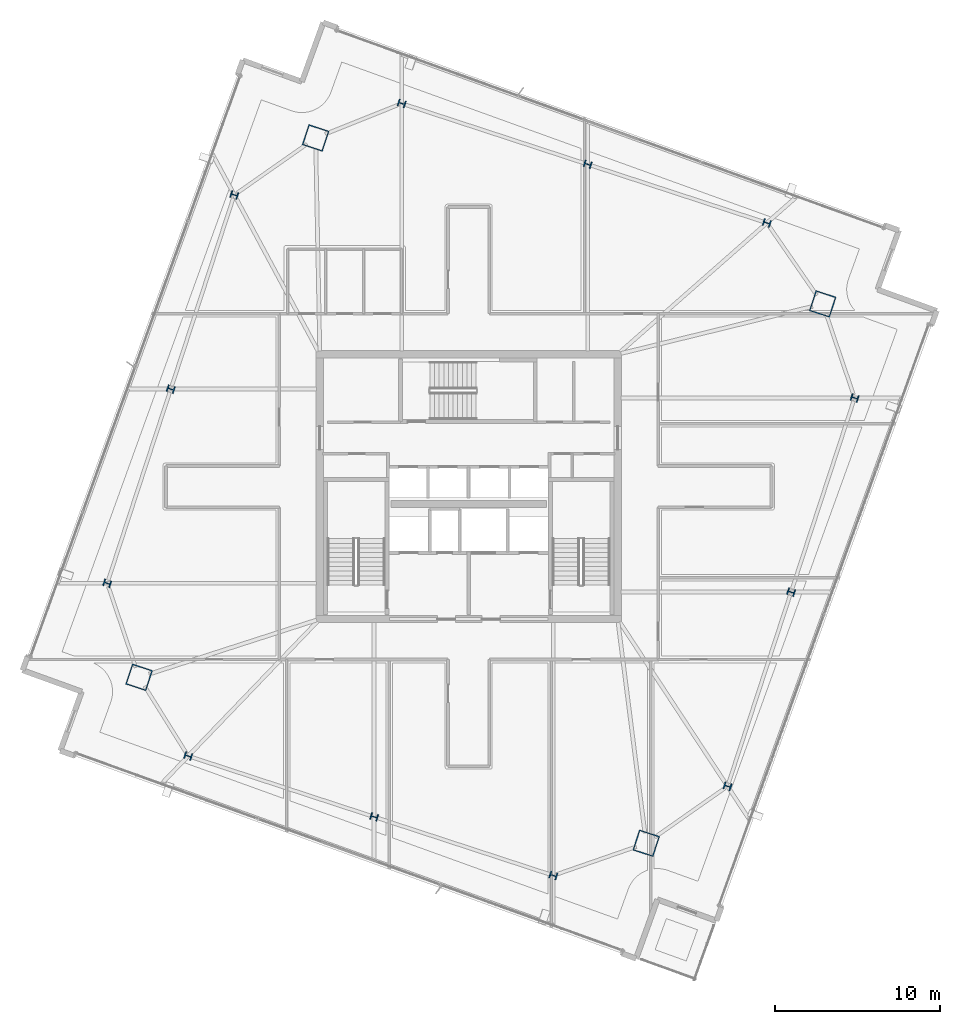
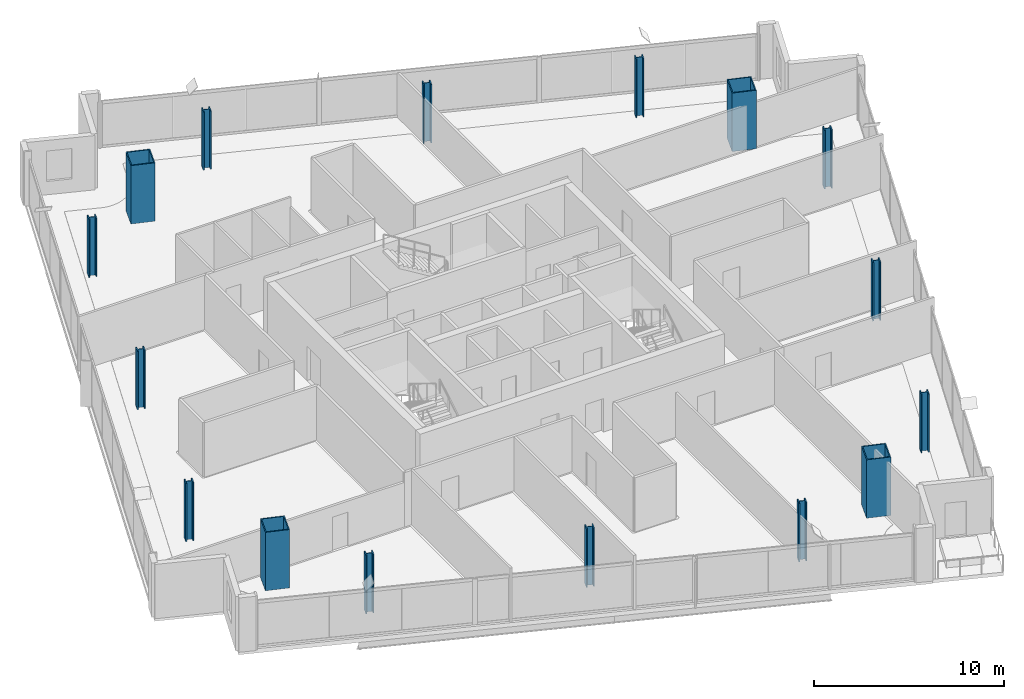
# One storey, part 1 of 27: 16 columns.
"""IFC4 building model written with IfcOpenShell, lengths in metres."""

from ifc_helpers import new_model, si_unit, direction, frame, origin, origin_2d, place, context, subcontext, project, spatial, hollow_rectangle, i_section, extrude, material, material_profile, profile_set, type_object, element, save


model = new_model("IFC4")

# Units and contexts
model_context = context("Model", 3, precision=1e-05, world=origin(), true_north=direction((0.0, 1.0)))
body_context = subcontext(model_context, "Body", "Model", "MODEL_VIEW")
ifc_project = project(units=[si_unit("LENGTHUNIT", "METRE"), si_unit("AREAUNIT", "SQUARE_METRE"), si_unit("VOLUMEUNIT", "CUBIC_METRE"), si_unit("PLANEANGLEUNIT", "RADIAN"), si_unit("MASSUNIT", "GRAM", prefix="KILO")], contexts=[model_context])

# Site, building, storey
site_placement = place(None, origin())
site = spatial("IfcSite", under=ifc_project, at=site_placement, CompositionType="ELEMENT")
building_placement = place(site_placement, origin())
building = spatial("IfcBuilding", under=site, at=building_placement, Name="Haldenkirk Collegiate Tower", CompositionType="ELEMENT")
storey_placement = place(building_placement, frame((0.0, 0.0, 263.699951171875)))
storey = spatial("IfcBuildingStorey", under=building, at=storey_placement, Name="L66", CompositionType="ELEMENT", Elevation=263.699951171875)

# Columns
ifc_material_1 = material(Name="Steel ASTM A913 Grade 65", Category="steel")
ifc_material_profile_1 = material_profile(ifc_material_1, i_section(OverallWidth=0.416015625, OverallDepth=0.445068359375, WebThickness=0.0390625, FlangeThickness=0.062744140625, at=origin_2d()), Name="W14X342")
ifc_profile_set_1 = profile_set([ifc_material_profile_1], Name="Steel ASTM A913 Grade 65")
column_type_1 = type_object("IfcColumnType", Name="COL-INT-W14X342", PredefinedType="COLUMN", material=ifc_profile_set_1)
for number, where, z_axis, x_axis, name in (
    (1, (51.64306640625, 7.888671875, 0.0), (0.0, 0.0, 1.0), (0.311008203279, 0.950407227189, 0.0), "L66 perimeter gravity column PC-S1"),
    (2, (55.4833984375, 19.624267578125, 0.0), (0.0, 0.0, 1.0), (0.311008203279, 0.950407227189, 0.0), "L66 perimeter gravity column PC-S2"),
    (3, (59.32373046875, 31.360107421875, 0.0), (0.0, 0.0, 1.0), (0.311008203279, 0.950407227189, 0.0), "L66 perimeter gravity column PC-S3"),
    (4, (54.01806640625, 41.9365234375, 0.0), (0.0, 0.0, 1.0), (0.311008203279, 0.950407227189, 0.0), "L66 perimeter gravity column PC-E1"),
    (5, (43.18994140625, 45.47998046875, 0.0), (0.0, 0.0, 1.0), (0.311008203279, 0.950407227189, 0.0), "L66 perimeter gravity column PC-E2"),
    (6, (31.949462890625, 49.158203125, 0.0), (0.0, 0.0, 1.0), (0.311008203279, 0.950407227189, 0.0), "L66 perimeter gravity column PC-E3"),
    (7, (21.830078125, 43.629150390625, 0.0), (0.0, 0.0, 1.0), (0.311008203279, 0.950407227189, 0.0), "L66 perimeter gravity column PC-N1"),
    (8, (17.98974609375, 31.8935546875, 0.0), (0.0, 0.0, 1.0), (0.311008203279, 0.950407227189, 0.0), "L66 perimeter gravity column PC-N2"),
    (9, (14.1494140625, 20.157958984375, 0.0), (0.0, 0.0, 1.0), (0.311008203279, 0.950407227189, 0.0), "L66 perimeter gravity column PC-N3"),
    (10, (19.042724609375, 9.71630859375, 0.0), (0.0, 0.0, 1.0), (0.311008203279, 0.950407227189, 0.0), "L66 perimeter gravity column PC-W1"),
    (11, (30.283203125, 6.0380859375, 0.0), (0.0, 0.0, 1.0), (0.311008203279, 0.950407227189, 0.0), "L66 perimeter gravity column PC-W2"),
    (12, (41.111083984375, 2.49462890625, 0.0), (0.0, 0.0, 1.0), (0.311008203279, 0.950407227189, 0.0), "L66 perimeter gravity column PC-W3"),
):
    element("IfcColumn", number, at=place(storey_placement, frame(where, z_axis=z_axis, x_axis=x_axis)), inside=storey, type_object=column_type_1, Name=name, PredefinedType="COLUMN", context=body_context, shape_type="SweptSolid", body=[
        extrude(i_section(OverallWidth=0.416015625, OverallDepth=0.445068359375, WebThickness=0.0390625, FlangeThickness=0.062744140625, at=origin_2d()), origin(), (0.0, 0.0, 1.0), 3.75),
    ])
ifc_material_2 = material(Name="Steel ASTM A572 Grade 50", Category="steel")
ifc_material_profile_2 = material_profile(ifc_material_2, hollow_rectangle(XDim=1.300048828125, YDim=1.300048828125, WallThickness=0.06005859375, at=origin_2d()), Name="BOX1300X1300X60")
ifc_profile_set_2 = profile_set([ifc_material_profile_2], Name="Steel ASTM A572 Grade 50")
column_type_2 = type_object("IfcColumnType", Name="COL-MEGA-BOX1300X1300X60", PredefinedType="COLUMN", material=ifc_profile_set_2)
for number, where, z_axis, x_axis, name in (
    (13, (46.72802734375, 4.444580078125, 0.0), (0.0, 0.0, 1.0), (0.311008203279, 0.950407227189, 0.0), "L66 corner mega-column MC1"),
    (14, (57.395751953125, 37.04345703125, 0.0), (0.0, 0.0, 1.0), (0.311008203279, 0.950407227189, 0.0), "L66 corner mega-column MC2"),
    (15, (26.7451171875, 47.073486328125, 0.0), (0.0, 0.0, 1.0), (0.311008203279, 0.950407227189, 0.0), "L66 corner mega-column MC3"),
    (16, (16.077392578125, 14.474609375, 0.0), (0.0, 0.0, 1.0), (0.311008203279, 0.950407227189, 0.0), "L66 corner mega-column MC4"),
):
    element("IfcColumn", number, at=place(storey_placement, frame(where, z_axis=z_axis, x_axis=x_axis)), inside=storey, type_object=column_type_2, Name=name, PredefinedType="COLUMN", context=body_context, shape_type="SweptSolid", body=[
        extrude(hollow_rectangle(XDim=1.300048828125, YDim=1.300048828125, WallThickness=0.06005859375, at=origin_2d()), origin(), (0.0, 0.0, 1.0), 3.75),
    ])

save(model, "model.ifc")
